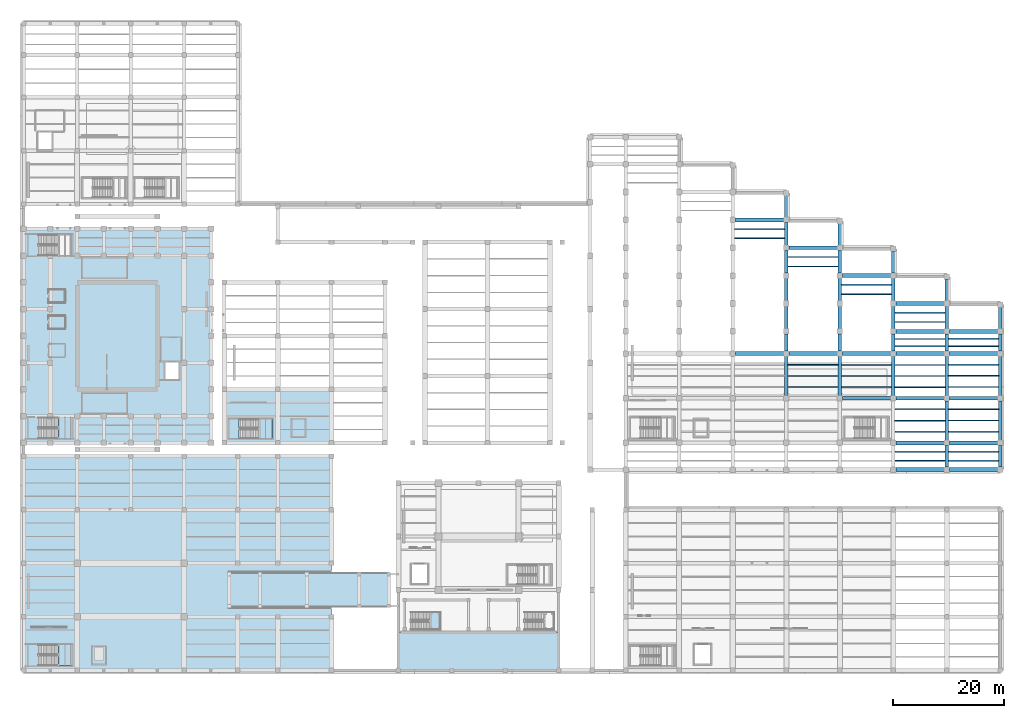
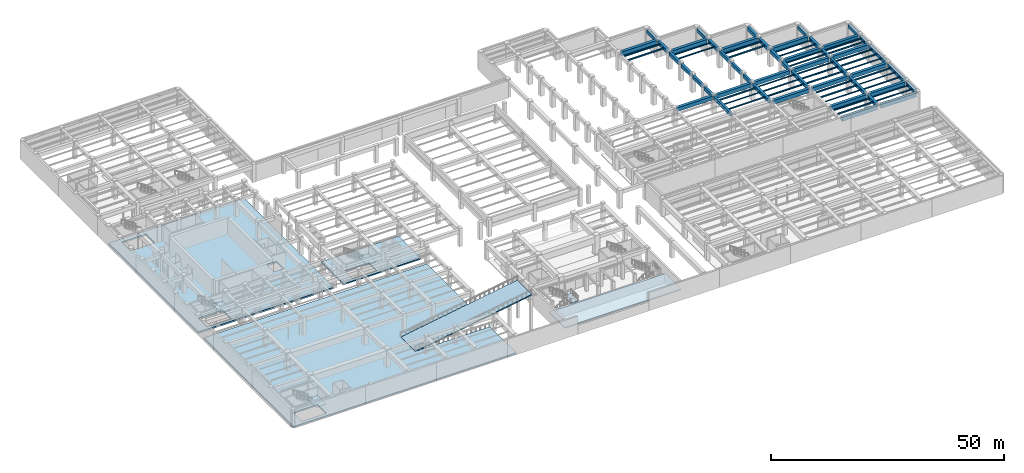
# One storey, part 21 of 45: 81 beams, 9 slabs, 4 elements without a shape of their own.
"""IFC4 building model written with IfcOpenShell, lengths in metres."""

from ifc_helpers import new_model, si_unit, direction, frame, origin, origin_2d, place, context, subcontext, project, spatial, polyline, rectangle, i_section, outline, extrude, material, layer, layer_set, material_profile, profile_set, type_object, element, aggregate, save


model = new_model("IFC4")

# Units and contexts
model_context = context("Model", 3, precision=1e-05, world=origin(), true_north=direction((0.0, 1.0)))
body_context = subcontext(model_context, "Body", "Model", "MODEL_VIEW")
ifc_project = project(units=[si_unit("LENGTHUNIT", "METRE"), si_unit("AREAUNIT", "SQUARE_METRE"), si_unit("VOLUMEUNIT", "CUBIC_METRE"), si_unit("PLANEANGLEUNIT", "RADIAN"), si_unit("MASSUNIT", "GRAM", prefix="KILO")], contexts=[model_context])

# Site, building, storey
site_placement = place(None, origin())
site = spatial("IfcSite", under=ifc_project, at=site_placement, CompositionType="ELEMENT")
building_placement = place(site_placement, origin())
building = spatial("IfcBuilding", under=site, at=building_placement, Name="Mavantir Sound Aquarium", CompositionType="ELEMENT")
storey_placement = place(building_placement, frame((0.0, 0.0, -4.800048828125)))
storey = spatial("IfcBuildingStorey", under=building, at=storey_placement, Name="B1", CompositionType="ELEMENT", Elevation=-4.800048828125)

# Beams
ifc_material_1 = material(Name="Concrete C40/50", Category="concrete")
ifc_material_profile_1 = material_profile(ifc_material_1, rectangle(XDim=0.60009765625, YDim=0.89990234375, at=origin_2d()), Name="RC 600X900")
ifc_profile_set_1 = profile_set([ifc_material_profile_1], Name="Concrete C40/50")
beam_type_1 = type_object("IfcBeamType", Name="BM-RC600X900-E", PredefinedType="BEAM", material=ifc_profile_set_1)
beam_1_placement = place(storey_placement, frame((175.199951171875, 36.449951171875, 4.01611328125), z_axis=(0.0, 1.0, 0.0), x_axis=(-1.0, 0.0, 0.0)))
element("IfcBeam", 1, at=beam_1_placement, inside=storey, type_object=beam_type_1, Name="B1 primary girder RCB-09 692", PredefinedType="BEAM", context=body_context, shape_type="SweptSolid", body=[
    extrude(rectangle(XDim=0.60009765625, YDim=0.89990234375, at=origin_2d()), origin(), (0.0, 0.0, 1.0), 3.900146484375),
])
for number, where, z_axis, x_axis, name in (
    (2, (175.199951171875, 41.25, 4.01611328125), (0.0, 1.0, 0.0), (-1.0, 0.0, 0.0), "B1 primary girder RCB-09 693"),
    (3, (175.199951171875, 49.25, 4.01611328125), (0.0, 1.0, 0.0), (-1.0, 0.0, 0.0), "B1 primary girder RCB-09 694"),
):
    element("IfcBeam", number, at=place(storey_placement, frame(where, z_axis=z_axis, x_axis=x_axis)), inside=storey, type_object=beam_type_1, Name=name, PredefinedType="BEAM", context=body_context, shape_type="SweptSolid", body=[
        extrude(rectangle(XDim=0.60009765625, YDim=0.89990234375, at=origin_2d()), origin(), (0.0, 0.0, 1.0), 7.10009765625),
    ])
beam_2_placement = place(storey_placement, frame((175.199951171875, 57.25, 4.01611328125), z_axis=(0.0, 1.0, 0.0), x_axis=(-1.0, 0.0, 0.0)))
element("IfcBeam", 4, at=beam_2_placement, inside=storey, type_object=beam_type_1, Name="B1 primary girder RCB-09 695", PredefinedType="BEAM", context=body_context, shape_type="SweptSolid", body=[
    extrude(rectangle(XDim=0.60009765625, YDim=0.89990234375, at=origin_2d()), origin(), (0.0, 0.0, 1.0), 3.10009765625),
])
beam_3_placement = place(storey_placement, frame((175.199951171875, 61.25, 4.01611328125), z_axis=(0.0, 1.0, 0.0), x_axis=(-1.0, 0.0, 0.0)))
element("IfcBeam", 5, at=beam_3_placement, inside=storey, type_object=beam_type_1, Name="B1 primary girder RCB-09 696", PredefinedType="BEAM", context=body_context, shape_type="SweptSolid", body=[
    extrude(rectangle(XDim=0.60009765625, YDim=0.89990234375, at=origin_2d()), origin(), (0.0, 0.0, 1.0), 3.89990234375),
])
ifc_material_profile_2 = material_profile(ifc_material_1, rectangle(XDim=0.60009765625, YDim=0.89990234375, at=origin_2d()), Name="RC 600X900")
ifc_profile_set_2 = profile_set([ifc_material_profile_2], Name="Concrete C40/50")
beam_type_2 = type_object("IfcBeamType", Name="BM-RC600X900-I", PredefinedType="BEAM", material=ifc_profile_set_2)
beam_4_placement = place(storey_placement, frame((136.800048828125, 49.25, 4.01611328125), z_axis=(0.0, 1.0, 0.0), x_axis=(-1.0, 0.0, 0.0)))
element("IfcBeam", 6, at=beam_4_placement, inside=storey, type_object=beam_type_2, Name="B1 primary girder RCB-09 664", PredefinedType="BEAM", context=body_context, shape_type="SweptSolid", body=[
    extrude(rectangle(XDim=0.60009765625, YDim=0.89990234375, at=origin_2d()), origin(), (0.0, 0.0, 1.0), 7.10009765625),
])
beam_5_placement = place(storey_placement, frame((136.800048828125, 57.25, 4.01611328125), z_axis=(0.0, 1.0, 0.0), x_axis=(-1.0, 0.0, 0.0)))
element("IfcBeam", 7, at=beam_5_placement, inside=storey, type_object=beam_type_2, Name="B1 primary girder RCB-09 665", PredefinedType="BEAM", context=body_context, shape_type="SweptSolid", body=[
    extrude(rectangle(XDim=0.60009765625, YDim=0.89990234375, at=origin_2d()), origin(), (0.0, 0.0, 1.0), 3.10009765625),
])
for number, where, z_axis, x_axis, name in (
    (8, (136.800048828125, 61.25, 4.01611328125), (0.0, 1.0, 0.0), (-1.0, 0.0, 0.0), "B1 primary girder RCB-09 666"),
    (9, (136.800048828125, 66.25, 4.01611328125), (0.0, 1.0, 0.0), (-1.0, 0.0, 0.0), "B1 primary girder RCB-09 667"),
    (10, (136.800048828125, 71.25, 4.01611328125), (0.0, 1.0, 0.0), (-1.0, 0.0, 0.0), "B1 primary girder RCB-09 668"),
    (11, (136.800048828125, 76.25, 4.01611328125), (0.0, 1.0, 0.0), (-1.0, 0.0, 0.0), "B1 primary girder RCB-09 669"),
):
    element("IfcBeam", number, at=place(storey_placement, frame(where, z_axis=z_axis, x_axis=x_axis)), inside=storey, type_object=beam_type_2, Name=name, PredefinedType="BEAM", context=body_context, shape_type="SweptSolid", body=[
        extrude(rectangle(XDim=0.60009765625, YDim=0.89990234375, at=origin_2d()), origin(), (0.0, 0.0, 1.0), 4.10009765625),
    ])
beam_6_placement = place(storey_placement, frame((136.800048828125, 81.25, 4.0361328125), z_axis=(0.0, 1.0, 0.0), x_axis=(-1.0, 0.0, 0.0)))
element("IfcBeam", 12, at=beam_6_placement, inside=storey, type_object=beam_type_2, Name="B1 primary girder RCB-09 670", PredefinedType="BEAM", context=body_context, shape_type="SweptSolid", body=[
    extrude(rectangle(XDim=0.60009765625, YDim=0.89990234375, at=origin_2d()), origin(), (0.0, 0.0, 1.0), 3.89990234375),
])
beam_7_placement = place(storey_placement, frame((146.39990234375, 49.25, 4.01611328125), z_axis=(0.0, 1.0, 0.0), x_axis=(-1.0, 0.0, 0.0)))
element("IfcBeam", 13, at=beam_7_placement, inside=storey, type_object=beam_type_2, Name="B1 primary girder RCB-09 673", PredefinedType="BEAM", context=body_context, shape_type="SweptSolid", body=[
    extrude(rectangle(XDim=0.60009765625, YDim=0.89990234375, at=origin_2d()), origin(), (0.0, 0.0, 1.0), 7.10009765625),
])
beam_8_placement = place(storey_placement, frame((146.39990234375, 57.25, 4.01611328125), z_axis=(0.0, 1.0, 0.0), x_axis=(-1.0, 0.0, 0.0)))
element("IfcBeam", 14, at=beam_8_placement, inside=storey, type_object=beam_type_2, Name="B1 primary girder RCB-09 674", PredefinedType="BEAM", context=body_context, shape_type="SweptSolid", body=[
    extrude(rectangle(XDim=0.60009765625, YDim=0.89990234375, at=origin_2d()), origin(), (0.0, 0.0, 1.0), 3.10009765625),
])
for number, where, z_axis, x_axis, name in (
    (15, (146.39990234375, 61.25, 4.01611328125), (0.0, 1.0, 0.0), (-1.0, 0.0, 0.0), "B1 primary girder RCB-09 675"),
    (16, (146.39990234375, 66.25, 4.01611328125), (0.0, 1.0, 0.0), (-1.0, 0.0, 0.0), "B1 primary girder RCB-09 676"),
    (17, (146.39990234375, 71.25, 4.01611328125), (0.0, 1.0, 0.0), (-1.0, 0.0, 0.0), "B1 primary girder RCB-09 677"),
):
    element("IfcBeam", number, at=place(storey_placement, frame(where, z_axis=z_axis, x_axis=x_axis)), inside=storey, type_object=beam_type_2, Name=name, PredefinedType="BEAM", context=body_context, shape_type="SweptSolid", body=[
        extrude(rectangle(XDim=0.60009765625, YDim=0.89990234375, at=origin_2d()), origin(), (0.0, 0.0, 1.0), 4.10009765625),
    ])
beam_9_placement = place(storey_placement, frame((146.39990234375, 76.25, 4.01611328125), z_axis=(0.0, 1.0, 0.0), x_axis=(-1.0, 0.0, 0.0)))
element("IfcBeam", 18, at=beam_9_placement, inside=storey, type_object=beam_type_2, Name="B1 primary girder RCB-09 678", PredefinedType="BEAM", context=body_context, shape_type="SweptSolid", body=[
    extrude(rectangle(XDim=0.60009765625, YDim=0.89990234375, at=origin_2d()), origin(), (0.0, 0.0, 1.0), 3.89990234375),
])
beam_10_placement = place(storey_placement, frame((156.0, 49.25, 4.0361328125), z_axis=(0.0, 1.0, 0.0), x_axis=(-1.0, 0.0, 0.0)))
element("IfcBeam", 19, at=beam_10_placement, inside=storey, type_object=beam_type_2, Name="B1 primary girder RCB-09 681", PredefinedType="BEAM", context=body_context, shape_type="SweptSolid", body=[
    extrude(rectangle(XDim=0.60009765625, YDim=0.89990234375, at=origin_2d()), origin(), (0.0, 0.0, 1.0), 7.10009765625),
])
beam_11_placement = place(storey_placement, frame((156.0, 57.25, 4.0361328125), z_axis=(0.0, 1.0, 0.0), x_axis=(-1.0, 0.0, 0.0)))
element("IfcBeam", 20, at=beam_11_placement, inside=storey, type_object=beam_type_2, Name="B1 primary girder RCB-09 682", PredefinedType="BEAM", context=body_context, shape_type="SweptSolid", body=[
    extrude(rectangle(XDim=0.60009765625, YDim=0.89990234375, at=origin_2d()), origin(), (0.0, 0.0, 1.0), 3.10009765625),
])
for number, where, z_axis, x_axis, name in (
    (21, (156.0, 61.25, 4.0361328125), (0.0, 1.0, 0.0), (-1.0, 0.0, 0.0), "B1 primary girder RCB-09 683"),
    (22, (156.0, 66.25, 4.0361328125), (0.0, 1.0, 0.0), (-1.0, 0.0, 0.0), "B1 primary girder RCB-09 684"),
):
    element("IfcBeam", number, at=place(storey_placement, frame(where, z_axis=z_axis, x_axis=x_axis)), inside=storey, type_object=beam_type_2, Name=name, PredefinedType="BEAM", context=body_context, shape_type="SweptSolid", body=[
        extrude(rectangle(XDim=0.60009765625, YDim=0.89990234375, at=origin_2d()), origin(), (0.0, 0.0, 1.0), 4.10009765625),
    ])
beam_12_placement = place(storey_placement, frame((156.0, 71.25, 4.05615234375), z_axis=(0.0, 1.0, 0.0), x_axis=(-1.0, 0.0, 0.0)))
element("IfcBeam", 23, at=beam_12_placement, inside=storey, type_object=beam_type_2, Name="B1 primary girder RCB-09 685", PredefinedType="BEAM", context=body_context, shape_type="SweptSolid", body=[
    extrude(rectangle(XDim=0.60009765625, YDim=0.89990234375, at=origin_2d()), origin(), (0.0, 0.0, 1.0), 3.89990234375),
])
beam_13_placement = place(storey_placement, frame((165.60009765625, 36.449951171875, 4.01611328125), z_axis=(0.0, 1.0, 0.0), x_axis=(-1.0, 0.0, 0.0)))
element("IfcBeam", 24, at=beam_13_placement, inside=storey, type_object=beam_type_2, Name="B1 primary girder RCB-09 686", PredefinedType="BEAM", context=body_context, shape_type="SweptSolid", body=[
    extrude(rectangle(XDim=0.60009765625, YDim=0.89990234375, at=origin_2d()), origin(), (0.0, 0.0, 1.0), 3.900146484375),
])
for number, where, z_axis, x_axis, name in (
    (25, (165.60009765625, 41.25, 4.01611328125), (0.0, 1.0, 0.0), (-1.0, 0.0, 0.0), "B1 primary girder RCB-09 687"),
    (26, (165.60009765625, 49.25, 4.01611328125), (0.0, 1.0, 0.0), (-1.0, 0.0, 0.0), "B1 primary girder RCB-09 688"),
):
    element("IfcBeam", number, at=place(storey_placement, frame(where, z_axis=z_axis, x_axis=x_axis)), inside=storey, type_object=beam_type_2, Name=name, PredefinedType="BEAM", context=body_context, shape_type="SweptSolid", body=[
        extrude(rectangle(XDim=0.60009765625, YDim=0.89990234375, at=origin_2d()), origin(), (0.0, 0.0, 1.0), 7.10009765625),
    ])
beam_14_placement = place(storey_placement, frame((165.60009765625, 57.25, 4.01611328125), z_axis=(0.0, 1.0, 0.0), x_axis=(-1.0, 0.0, 0.0)))
element("IfcBeam", 27, at=beam_14_placement, inside=storey, type_object=beam_type_2, Name="B1 primary girder RCB-09 689", PredefinedType="BEAM", context=body_context, shape_type="SweptSolid", body=[
    extrude(rectangle(XDim=0.60009765625, YDim=0.89990234375, at=origin_2d()), origin(), (0.0, 0.0, 1.0), 3.10009765625),
])
beam_15_placement = place(storey_placement, frame((165.60009765625, 61.25, 4.01611328125), z_axis=(0.0, 1.0, 0.0), x_axis=(-1.0, 0.0, 0.0)))
element("IfcBeam", 28, at=beam_15_placement, inside=storey, type_object=beam_type_2, Name="B1 primary girder RCB-09 690", PredefinedType="BEAM", context=body_context, shape_type="SweptSolid", body=[
    extrude(rectangle(XDim=0.60009765625, YDim=0.89990234375, at=origin_2d()), origin(), (0.0, 0.0, 1.0), 4.10009765625),
])
beam_16_placement = place(storey_placement, frame((165.60009765625, 66.25, 4.0361328125), z_axis=(0.0, 1.0, 0.0), x_axis=(-1.0, 0.0, 0.0)))
element("IfcBeam", 29, at=beam_16_placement, inside=storey, type_object=beam_type_2, Name="B1 primary girder RCB-09 691", PredefinedType="BEAM", context=body_context, shape_type="SweptSolid", body=[
    extrude(rectangle(XDim=0.60009765625, YDim=0.89990234375, at=origin_2d()), origin(), (0.0, 0.0, 1.0), 3.89990234375),
])
ifc_material_profile_3 = material_profile(ifc_material_1, rectangle(XDim=0.699951171875, YDim=1.0, at=origin_2d()), Name="RC 700X1000")
ifc_profile_set_3 = profile_set([ifc_material_profile_3], Name="Concrete C40/50")
beam_type_3 = type_object("IfcBeamType", Name="BM-RC700X1000-E", PredefinedType="BEAM", material=ifc_profile_set_3)
for number, where, z_axis, x_axis, name in (
    (30, (156.449951171875, 36.0, 3.966064453125), (1.0, 0.0, 0.0), (0.0, 1.0, 0.0), "B1 primary beam RCB-10 589"),
    (31, (166.050048828125, 36.0, 3.966064453125), (1.0, 0.0, 0.0), (0.0, 1.0, 0.0), "B1 primary beam RCB-10 590"),
):
    element("IfcBeam", number, at=place(storey_placement, frame(where, z_axis=z_axis, x_axis=x_axis)), inside=storey, type_object=beam_type_3, Name=name, PredefinedType="BEAM", context=body_context, shape_type="SweptSolid", body=[
        extrude(rectangle(XDim=0.699951171875, YDim=1.0, at=origin_2d()), origin(), (0.0, 0.0, 1.0), 8.699951171875),
    ])
ifc_material_profile_4 = material_profile(ifc_material_1, rectangle(XDim=0.699951171875, YDim=1.0, at=origin_2d()), Name="RC 700X1000")
ifc_profile_set_4 = profile_set([ifc_material_profile_4], Name="Concrete C40/50")
beam_type_4 = type_object("IfcBeamType", Name="BM-RC700X1000-I", PredefinedType="BEAM", material=ifc_profile_set_4)
for number, where, z_axis, x_axis, name in (
    (32, (156.449951171875, 40.800048828125, 3.966064453125), (1.0, 0.0, 0.0), (0.0, 1.0, 0.0), "B1 primary beam RCB-10 596"),
    (33, (166.050048828125, 40.800048828125, 3.966064453125), (1.0, 0.0, 0.0), (0.0, 1.0, 0.0), "B1 primary beam RCB-10 597"),
    (34, (146.85009765625, 48.800048828125, 4.006103515625), (1.0, 0.0, 0.0), (0.0, 1.0, 0.0), "B1 primary beam RCB-10 602"),
    (35, (156.449951171875, 48.800048828125, 3.986083984375), (1.0, 0.0, 0.0), (0.0, 1.0, 0.0), "B1 primary beam RCB-10 603"),
    (36, (166.050048828125, 48.800048828125, 3.966064453125), (1.0, 0.0, 0.0), (0.0, 1.0, 0.0), "B1 primary beam RCB-10 604"),
):
    element("IfcBeam", number, at=place(storey_placement, frame(where, z_axis=z_axis, x_axis=x_axis)), inside=storey, type_object=beam_type_4, Name=name, PredefinedType="BEAM", context=body_context, shape_type="SweptSolid", body=[
        extrude(rectangle(XDim=0.699951171875, YDim=1.0, at=origin_2d()), origin(), (0.0, 0.0, 1.0), 8.699951171875),
    ])
beam_17_placement = place(storey_placement, frame((127.64990234375, 56.800048828125, 3.986083984375), z_axis=(1.0, 0.0, 0.0), x_axis=(0.0, 1.0, 0.0)))
element("IfcBeam", 37, at=beam_17_placement, inside=storey, type_object=beam_type_4, Name="B1 primary beam RCB-10 607", PredefinedType="BEAM", context=body_context, shape_type="SweptSolid", body=[
    extrude(rectangle(XDim=0.699951171875, YDim=1.0, at=origin_2d()), origin(), (0.0, 0.0, 1.0), 8.7001953125),
])
for number, where, z_axis, x_axis, name in (
    (38, (137.25, 56.800048828125, 3.966064453125), (1.0, 0.0, 0.0), (0.0, 1.0, 0.0), "B1 primary beam RCB-10 608"),
    (39, (146.85009765625, 56.800048828125, 4.006103515625), (1.0, 0.0, 0.0), (0.0, 1.0, 0.0), "B1 primary beam RCB-10 609"),
    (40, (156.449951171875, 56.800048828125, 3.986083984375), (1.0, 0.0, 0.0), (0.0, 1.0, 0.0), "B1 primary beam RCB-10 610"),
    (41, (166.050048828125, 56.800048828125, 3.966064453125), (1.0, 0.0, 0.0), (0.0, 1.0, 0.0), "B1 primary beam RCB-10 611"),
    (42, (156.449951171875, 60.800048828125, 3.986083984375), (1.0, 0.0, 0.0), (0.0, 1.0, 0.0), "B1 primary beam RCB-10 612"),
    (43, (166.050048828125, 60.800048828125, 3.966064453125), (1.0, 0.0, 0.0), (0.0, 1.0, 0.0), "B1 primary beam RCB-10 613"),
    (44, (156.449951171875, 65.800048828125, 3.986083984375), (1.0, 0.0, 0.0), (0.0, 1.0, 0.0), "B1 primary beam RCB-10 614"),
    (45, (146.85009765625, 70.800048828125, 4.006103515625), (1.0, 0.0, 0.0), (0.0, 1.0, 0.0), "B1 primary beam RCB-10 615"),
    (46, (137.25, 75.800048828125, 3.966064453125), (1.0, 0.0, 0.0), (0.0, 1.0, 0.0), "B1 primary beam RCB-10 616"),
):
    element("IfcBeam", number, at=place(storey_placement, frame(where, z_axis=z_axis, x_axis=x_axis)), inside=storey, type_object=beam_type_4, Name=name, PredefinedType="BEAM", context=body_context, shape_type="SweptSolid", body=[
        extrude(rectangle(XDim=0.699951171875, YDim=1.0, at=origin_2d()), origin(), (0.0, 0.0, 1.0), 8.699951171875),
    ])
beam_18_placement = place(storey_placement, frame((127.64990234375, 80.800048828125, 3.986083984375), z_axis=(1.0, 0.0, 0.0), x_axis=(0.0, 1.0, 0.0)))
element("IfcBeam", 47, at=beam_18_placement, inside=storey, type_object=beam_type_4, Name="B1 primary beam RCB-10 617", PredefinedType="BEAM", context=body_context, shape_type="SweptSolid", body=[
    extrude(rectangle(XDim=0.699951171875, YDim=1.0, at=origin_2d()), origin(), (0.0, 0.0, 1.0), 8.7001953125),
])
ifc_material_2 = material(Name="Structural Steel ASTM A992 Gr50", Category="steel")
ifc_material_profile_5 = material_profile(ifc_material_2, i_section(OverallWidth=0.202880859375, OverallDepth=0.251953125, WebThickness=0.008056640625, FlangeThickness=0.013427734375, FilletRadius=0.011962890625, at=origin_2d()), Name="W250X58")
ifc_profile_set_5 = profile_set([ifc_material_profile_5], Name="Structural Steel ASTM A992 Gr50")
beam_type_5 = type_object("IfcBeamType", Name="BM-W250X58-I", PredefinedType="JOIST", material=ifc_profile_set_5)
for number, where, z_axis, x_axis, name in (
    (48, (165.89990234375, 39.199951171875, 4.340087890625), (1.0, 0.0, 0.0), (0.0, 1.0, 0.0), "B1 secondary floor joist SJ-25 280"),
    (49, (156.300048828125, 42.800048828125, 4.360107421875), (1.0, 0.0, 0.0), (0.0, 1.0, 0.0), "B1 secondary floor joist SJ-25 292"),
    (50, (165.89990234375, 44.800048828125, 4.340087890625), (1.0, 0.0, 0.0), (0.0, 1.0, 0.0), "B1 secondary floor joist SJ-25 296"),
    (51, (137.10009765625, 52.800048828125, 4.340087890625), (1.0, 0.0, 0.0), (0.0, 1.0, 0.0), "B1 secondary floor joist SJ-25 308"),
    (52, (146.699951171875, 54.800048828125, 4.380126953125), (1.0, 0.0, 0.0), (0.0, 1.0, 0.0), "B1 secondary floor joist SJ-25 312"),
    (53, (165.89990234375, 50.800048828125, 4.340087890625), (1.0, 0.0, 0.0), (0.0, 1.0, 0.0), "B1 secondary floor joist SJ-25 316"),
    (54, (156.300048828125, 59.466796875, 4.360107421875), (1.0, 0.0, 0.0), (0.0, 1.0, 0.0), "B1 secondary floor joist SJ-25 320"),
    (55, (156.300048828125, 64.13330078125, 4.360107421875), (1.0, 0.0, 0.0), (0.0, 1.0, 0.0), "B1 secondary floor joist SJ-25 324"),
    (56, (137.10009765625, 74.13330078125, 4.340087890625), (1.0, 0.0, 0.0), (0.0, 1.0, 0.0), "B1 secondary floor joist SJ-25 328"),
):
    element("IfcBeam", number, at=place(storey_placement, frame(where, z_axis=z_axis, x_axis=x_axis)), inside=storey, type_object=beam_type_5, Name=name, PredefinedType="JOIST", context=body_context, shape_type="SweptSolid", body=[
        extrude(i_section(OverallWidth=0.202880859375, OverallDepth=0.251953125, WebThickness=0.008056640625, FlangeThickness=0.013427734375, FilletRadius=0.011962890625, at=origin_2d()), origin(), (0.0, 0.0, 1.0), 9.0),
    ])
ifc_material_profile_6 = material_profile(ifc_material_2, i_section(OverallWidth=0.205078125, OverallDepth=0.31005859375, WebThickness=0.009521484375, FlangeThickness=0.016357421875, FilletRadius=0.012939453125, at=origin_2d()), Name="W310X74")
ifc_profile_set_6 = profile_set([ifc_material_profile_6], Name="Structural Steel ASTM A992 Gr50")
beam_type_6 = type_object("IfcBeamType", Name="BM-W310X74-I", PredefinedType="JOIST", material=ifc_profile_set_6)
for number, where, z_axis, x_axis, name in (
    (57, (165.89990234375, 37.60009765625, 4.31103515625), (1.0, 0.0, 0.0), (0.0, 1.0, 0.0), "B1 secondary floor joist SJ-31 279"),
    (58, (165.89990234375, 42.800048828125, 4.31103515625), (1.0, 0.0, 0.0), (0.0, 1.0, 0.0), "B1 secondary floor joist SJ-31 295"),
    (59, (137.10009765625, 50.800048828125, 4.31103515625), (1.0, 0.0, 0.0), (0.0, 1.0, 0.0), "B1 secondary floor joist SJ-31 307"),
    (60, (146.699951171875, 52.800048828125, 4.35107421875), (1.0, 0.0, 0.0), (0.0, 1.0, 0.0), "B1 secondary floor joist SJ-31 311"),
    (61, (156.300048828125, 54.800048828125, 4.3310546875), (1.0, 0.0, 0.0), (0.0, 1.0, 0.0), "B1 secondary floor joist SJ-31 315"),
    (62, (156.300048828125, 58.13330078125, 4.3310546875), (1.0, 0.0, 0.0), (0.0, 1.0, 0.0), "B1 secondary floor joist SJ-31 319"),
    (63, (156.300048828125, 62.466796875, 4.3310546875), (1.0, 0.0, 0.0), (0.0, 1.0, 0.0), "B1 secondary floor joist SJ-31 323"),
    (64, (137.10009765625, 72.466796875, 4.31103515625), (1.0, 0.0, 0.0), (0.0, 1.0, 0.0), "B1 secondary floor joist SJ-31 327"),
):
    element("IfcBeam", number, at=place(storey_placement, frame(where, z_axis=z_axis, x_axis=x_axis)), inside=storey, type_object=beam_type_6, Name=name, PredefinedType="JOIST", context=body_context, shape_type="SweptSolid", body=[
        extrude(i_section(OverallWidth=0.205078125, OverallDepth=0.31005859375, WebThickness=0.009521484375, FlangeThickness=0.016357421875, FilletRadius=0.012939453125, at=origin_2d()), origin(), (0.0, 0.0, 1.0), 9.0),
    ])
ifc_material_profile_7 = material_profile(ifc_material_2, i_section(OverallWidth=0.25390625, OverallDepth=0.35302734375, WebThickness=0.009521484375, FlangeThickness=0.016357421875, FilletRadius=0.014892578125, at=origin_2d()), Name="W360X91")
ifc_profile_set_7 = profile_set([ifc_material_profile_7], Name="Structural Steel ASTM A992 Gr50")
beam_type_7 = type_object("IfcBeamType", Name="BM-W360X91-I", PredefinedType="JOIST", material=ifc_profile_set_7)
for number, where, z_axis, x_axis, name in (
    (65, (156.300048828125, 39.199951171875, 4.28955078125), (1.0, 0.0, 0.0), (0.0, 1.0, 0.0), "B1 secondary floor joist SJ-36 278"),
    (66, (156.300048828125, 46.800048828125, 4.3095703125), (1.0, 0.0, 0.0), (0.0, 1.0, 0.0), "B1 secondary floor joist SJ-36 294"),
    (67, (146.699951171875, 50.800048828125, 4.32958984375), (1.0, 0.0, 0.0), (0.0, 1.0, 0.0), "B1 secondary floor joist SJ-36 310"),
    (68, (156.300048828125, 52.800048828125, 4.3095703125), (1.0, 0.0, 0.0), (0.0, 1.0, 0.0), "B1 secondary floor joist SJ-36 314"),
    (69, (165.89990234375, 54.800048828125, 4.28955078125), (1.0, 0.0, 0.0), (0.0, 1.0, 0.0), "B1 secondary floor joist SJ-36 318"),
    (70, (165.89990234375, 59.466796875, 4.28955078125), (1.0, 0.0, 0.0), (0.0, 1.0, 0.0), "B1 secondary floor joist SJ-36 322"),
    (71, (146.699951171875, 69.13330078125, 4.32958984375), (1.0, 0.0, 0.0), (0.0, 1.0, 0.0), "B1 secondary floor joist SJ-36 326"),
    (72, (127.5, 79.13330078125, 4.3095703125), (1.0, 0.0, 0.0), (0.0, 1.0, 0.0), "B1 secondary floor joist SJ-36 330"),
):
    element("IfcBeam", number, at=place(storey_placement, frame(where, z_axis=z_axis, x_axis=x_axis)), inside=storey, type_object=beam_type_7, Name=name, PredefinedType="JOIST", context=body_context, shape_type="SweptSolid", body=[
        extrude(i_section(OverallWidth=0.25390625, OverallDepth=0.35302734375, WebThickness=0.009521484375, FlangeThickness=0.016357421875, FilletRadius=0.014892578125, at=origin_2d()), origin(), (0.0, 0.0, 1.0), 9.0),
    ])
ifc_material_profile_8 = material_profile(ifc_material_2, i_section(OverallWidth=0.180908203125, OverallDepth=0.4169921875, WebThickness=0.010986328125, FlangeThickness=0.018310546875, FilletRadius=0.014892578125, at=origin_2d()), Name="W410X85")
ifc_profile_set_8 = profile_set([ifc_material_profile_8], Name="Structural Steel ASTM A992 Gr50")
beam_type_8 = type_object("IfcBeamType", Name="BM-W410X85-I", PredefinedType="JOIST", material=ifc_profile_set_8)
for number, where, z_axis, x_axis, name in (
    (73, (156.300048828125, 37.60009765625, 4.257568359375), (1.0, 0.0, 0.0), (0.0, 1.0, 0.0), "B1 secondary floor joist SJ-41 277"),
    (74, (156.300048828125, 44.800048828125, 4.277587890625), (1.0, 0.0, 0.0), (0.0, 1.0, 0.0), "B1 secondary floor joist SJ-41 293"),
    (75, (165.89990234375, 46.800048828125, 4.257568359375), (1.0, 0.0, 0.0), (0.0, 1.0, 0.0), "B1 secondary floor joist SJ-41 297"),
    (76, (137.10009765625, 54.800048828125, 4.257568359375), (1.0, 0.0, 0.0), (0.0, 1.0, 0.0), "B1 secondary floor joist SJ-41 309"),
    (77, (156.300048828125, 50.800048828125, 4.277587890625), (1.0, 0.0, 0.0), (0.0, 1.0, 0.0), "B1 secondary floor joist SJ-41 313"),
    (78, (165.89990234375, 52.800048828125, 4.257568359375), (1.0, 0.0, 0.0), (0.0, 1.0, 0.0), "B1 secondary floor joist SJ-41 317"),
    (79, (165.89990234375, 58.13330078125, 4.257568359375), (1.0, 0.0, 0.0), (0.0, 1.0, 0.0), "B1 secondary floor joist SJ-41 321"),
    (80, (146.699951171875, 67.466796875, 4.297607421875), (1.0, 0.0, 0.0), (0.0, 1.0, 0.0), "B1 secondary floor joist SJ-41 325"),
    (81, (127.5, 77.466796875, 4.277587890625), (1.0, 0.0, 0.0), (0.0, 1.0, 0.0), "B1 secondary floor joist SJ-41 329"),
):
    element("IfcBeam", number, at=place(storey_placement, frame(where, z_axis=z_axis, x_axis=x_axis)), inside=storey, type_object=beam_type_8, Name=name, PredefinedType="JOIST", context=body_context, shape_type="SweptSolid", body=[
        extrude(i_section(OverallWidth=0.180908203125, OverallDepth=0.4169921875, WebThickness=0.010986328125, FlangeThickness=0.018310546875, FilletRadius=0.014892578125, at=origin_2d()), origin(), (0.0, 0.0, 1.0), 9.0),
    ])

# Slabs
ifc_layer_1 = layer(ifc_material_1, 0.300048828125, Name="Concrete C40/50")
ifc_layer_set_1 = layer_set([ifc_layer_1], Name="Concrete C40/50")
slab_type_1 = type_object("IfcSlabType", Name="SLB-ES-01", PredefinedType="FLOOR", material=ifc_layer_set_1)
slab_1_placement = place(storey_placement, frame((0.0, 0.0, 2.10009765625)))
element("IfcSlab", 82, at=slab_1_placement, inside=storey, type_object=slab_type_1, Name="B1 outdoor forecourt slab ES-01", PredefinedType="FLOOR", context=body_context, shape_type="SweptSolid", body=[
    extrude(outline(polyline([(67.199951171875, 0.0), (96.0, 0.0), (96.0, 6.800048828125), (67.199951171875, 6.800048828125), (67.199951171875, 0.0)])), origin(), (0.0, 0.0, 1.0), 0.300048828125),
])
ifc_material_3 = material(Name="Concrete C45/55", Category="concrete")
ifc_layer_2 = layer(ifc_material_3, 0.39990234375, Name="Concrete C45/55")
ifc_layer_set_2 = layer_set([ifc_layer_2], Name="Concrete C45/55")
slab_type_2 = type_object("IfcSlabType", Name="SLB-FS-01", PredefinedType="FLOOR", material=ifc_layer_set_2)
slab_2_placement = place(storey_placement, frame((0.0, 0.0, -0.39990234375)))
element("IfcSlab", 83, at=slab_2_placement, inside=storey, type_object=slab_type_2, Name="B1 structural slab FS-01 (V1)", PredefinedType="FLOOR", context=body_context, shape_type="SweptSolid", body=[
    extrude(outline(polyline([(33.60009765625, 40.800048828125), (33.60009765625, 79.199951171875), (0.0, 79.199951171875), (0.0, 40.800048828125), (33.60009765625, 40.800048828125)]), holes=[polyline([(2.64990234375, 41.60009765625), (8.64990234375, 41.60009765625), (8.64990234375, 45.35009765625), (2.64990234375, 45.35009765625), (2.64990234375, 41.60009765625)]), polyline([(2.64990234375, 74.39990234375), (8.64990234375, 74.39990234375), (8.64990234375, 78.14990234375), (2.64990234375, 78.14990234375), (2.64990234375, 74.39990234375)]), polyline([(25.39990234375, 52.199951171875), (27.800048828125, 52.199951171875), (27.800048828125, 55.300048828125), (25.39990234375, 55.300048828125), (25.39990234375, 52.199951171875)])]), origin(), (0.0, 0.0, 1.0), 0.39990234375),
])
ifc_layer_3 = layer(ifc_material_1, 0.35009765625, Name="Concrete C40/50")
ifc_layer_set_3 = layer_set([ifc_layer_3], Name="Concrete C40/50")
slab_type_3 = type_object("IfcSlabType", Name="SLB-FS-02", PredefinedType="FLOOR", material=ifc_layer_set_3)
slab_3_placement = place(storey_placement, frame((0.0, 0.0, -0.349853515625)))
element("IfcSlab", 84, at=slab_3_placement, inside=storey, type_object=slab_type_3, Name="B1 structural slab FS-02 (V3)", PredefinedType="FLOOR", context=body_context, shape_type="SweptSolid", body=[
    extrude(outline(polyline([(55.199951171875, 0.0), (0.0, 0.0), (0.0, 38.39990234375), (55.199951171875, 38.39990234375), (55.199951171875, 17.5048828125), (36.68994140625, 17.5048828125), (36.68994140625, 11.294921875), (55.199951171875, 11.294921875), (55.199951171875, 0.0)]), holes=[polyline([(2.64990234375, 0.85009765625), (8.64990234375, 0.85009765625), (8.64990234375, 4.60009765625), (2.64990234375, 4.60009765625), (2.64990234375, 0.85009765625)])]), origin(), (0.0, 0.0, 1.0), 0.349853515625),
])
ifc_layer_4 = layer(ifc_material_1, 0.300048828125, Name="Concrete C40/50")
ifc_layer_set_4 = layer_set([ifc_layer_4], Name="Concrete C40/50")
slab_type_4 = type_object("IfcSlabType", Name="SLB-FS-03", PredefinedType="FLOOR", material=ifc_layer_set_4)
slab_4_placement = place(storey_placement, frame((0.0, 0.0, -0.300048828125)))
element("IfcSlab", 85, at=slab_4_placement, inside=storey, type_object=slab_type_4, Name="B1 structural slab FS-03 (V2)", PredefinedType="FLOOR", context=body_context, shape_type="SweptSolid", body=[
    extrude(outline(polyline([(55.199951171875, 40.800048828125), (55.199951171875, 50.39990234375), (36.0, 50.39990234375), (36.0, 40.800048828125), (55.199951171875, 40.800048828125)]), holes=[polyline([(38.64990234375, 41.60009765625), (44.64990234375, 41.60009765625), (44.64990234375, 45.050048828125), (38.64990234375, 45.050048828125), (38.64990234375, 41.60009765625)])]), origin(), (0.0, 0.0, 1.0), 0.300048828125),
])

# Stair, slab
stair_type_1 = type_object("IfcStairType", Name="STR-1800-4800", PredefinedType="HALF_TURN_STAIR", material=ifc_material_1)
stair_1_placement = place(storey_placement, origin())
stair_1 = element("IfcStair", 86, at=stair_1_placement, inside=storey, type_object=stair_type_1, Name="B1 Protected exit stair ST1", PredefinedType="HALF_TURN_STAIR")
ifc_layer_5 = layer(ifc_material_1, 0.199951171875, Name="Concrete C40/50")
ifc_layer_set_5 = layer_set([ifc_layer_5], Name="Concrete C40/50")
slab_type_5 = type_object("IfcSlabType", Name="SLB-LND-360", PredefinedType="LANDING", material=ifc_layer_set_5)
slab_5_placement = place(storey_placement, frame((0.0, 0.0, 2.199951171875)))
slab_5 = element("IfcSlab", 87, at=slab_5_placement, type_object=slab_type_5, Name="ST1 landing 1", PredefinedType="LANDING", context=body_context, shape_type="SweptSolid", body=[
    extrude(outline(polyline([(6.1298828125, 41.60009765625), (8.64990234375, 41.60009765625), (8.64990234375, 45.35009765625), (6.1298828125, 45.35009765625), (6.1298828125, 41.60009765625)])), origin(), (0.0, 0.0, 1.0), 0.2001953125),
])
aggregate(stair_1, [slab_5])

stair_2_placement = place(storey_placement, origin())
stair_2 = element("IfcStair", 88, at=stair_2_placement, inside=storey, type_object=stair_type_1, Name="B1 Protected exit stair ST3", PredefinedType="HALF_TURN_STAIR")
slab_6_placement = place(storey_placement, frame((0.0, 0.0, 2.199951171875)))
slab_6 = element("IfcSlab", 89, at=slab_6_placement, type_object=slab_type_5, Name="ST3 landing 1", PredefinedType="LANDING", context=body_context, shape_type="SweptSolid", body=[
    extrude(outline(polyline([(6.1298828125, 0.85009765625), (8.64990234375, 0.85009765625), (8.64990234375, 4.60009765625), (6.1298828125, 4.60009765625), (6.1298828125, 0.85009765625)])), origin(), (0.0, 0.0, 1.0), 0.2001953125),
])
aggregate(stair_2, [slab_6])

stair_type_2 = type_object("IfcStairType", Name="STR-1650-4800", PredefinedType="HALF_TURN_STAIR", material=ifc_material_1)
stair_3_placement = place(storey_placement, origin())
stair_3 = element("IfcStair", 90, at=stair_3_placement, inside=storey, type_object=stair_type_2, Name="B1 Protected exit stair ST8", PredefinedType="HALF_TURN_STAIR")
slab_7_placement = place(storey_placement, frame((0.0, 0.0, 2.199951171875)))
slab_7 = element("IfcSlab", 91, at=slab_7_placement, type_object=slab_type_5, Name="ST8 landing 1", PredefinedType="LANDING", context=body_context, shape_type="SweptSolid", body=[
    extrude(outline(polyline([(42.1298828125, 41.60009765625), (44.64990234375, 41.60009765625), (44.64990234375, 45.050048828125), (42.1298828125, 45.050048828125), (42.1298828125, 41.60009765625)])), origin(), (0.0, 0.0, 1.0), 0.2001953125),
])
aggregate(stair_3, [slab_7])

stair_type_3 = type_object("IfcStairType", Name="STR-1450-4800", PredefinedType="HALF_TURN_STAIR", material=ifc_material_1)
stair_4_placement = place(storey_placement, origin())
stair_4 = element("IfcStair", 92, at=stair_4_placement, inside=storey, type_object=stair_type_3, Name="B1 ST13", PredefinedType="HALF_TURN_STAIR")
slab_8_placement = place(storey_placement, frame((0.0, 0.0, 2.199951171875)))
slab_8 = element("IfcSlab", 93, at=slab_8_placement, type_object=slab_type_5, Name="ST13 landing 1", PredefinedType="LANDING", context=body_context, shape_type="SweptSolid", body=[
    extrude(outline(polyline([(72.81005859375, 7.25), (74.800048828125, 7.25), (74.800048828125, 10.449951171875), (72.81005859375, 10.449951171875), (72.81005859375, 7.25)])), origin(), (0.0, 0.0, 1.0), 0.2001953125),
])
aggregate(stair_4, [slab_8])

# Slab
ifc_layer_6 = layer(ifc_material_1, 0.300048828125, Name="Concrete C40/50")
ifc_layer_set_6 = layer_set([ifc_layer_6], Name="Concrete C40/50")
slab_type_6 = type_object("IfcSlabType", Name="SLB-VRMP-300", PredefinedType="BASESLAB", material=ifc_layer_set_6)
slab_9_placement = place(storey_placement, frame((36.696044921875, 11.300048828125, 0.0), z_axis=(-0.16435696351, 0.0, 0.986400926878), x_axis=(0.986400926878, 0.0, 0.16435696351)))
element("IfcSlab", 94, at=slab_9_placement, inside=storey, type_object=slab_type_6, Name="Car park two-way vehicle ramp structural slab VR-01", PredefinedType="BASESLAB", context=body_context, shape_type="SweptSolid", body=[
    extrude(outline(polyline([(0.0, 0.0), (29.205022565525677, 0.0), (29.205022565525677, 6.199951171875), (0.0, 6.199951171875), (0.0, 0.0)])), origin(), (0.0, 0.0, -1.0), 0.300048828125),
])

save(model, "model.ifc")
